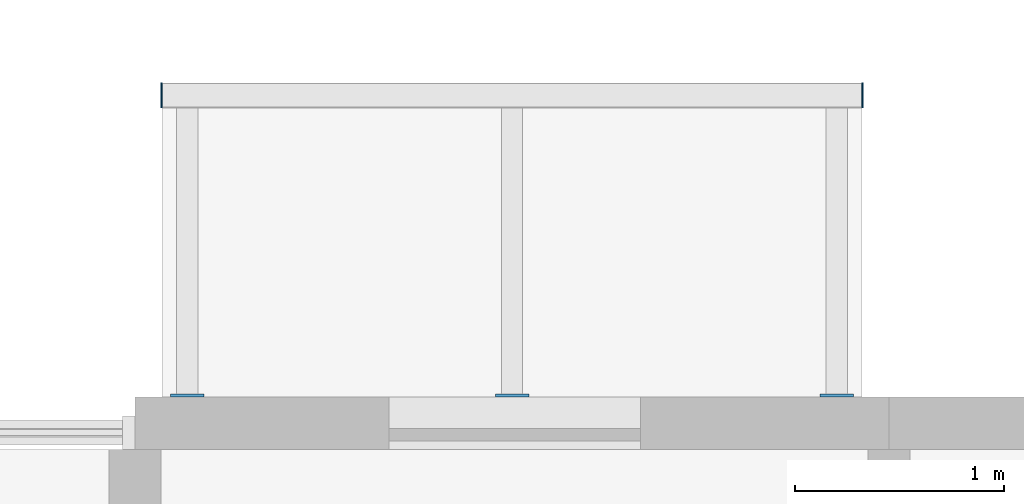
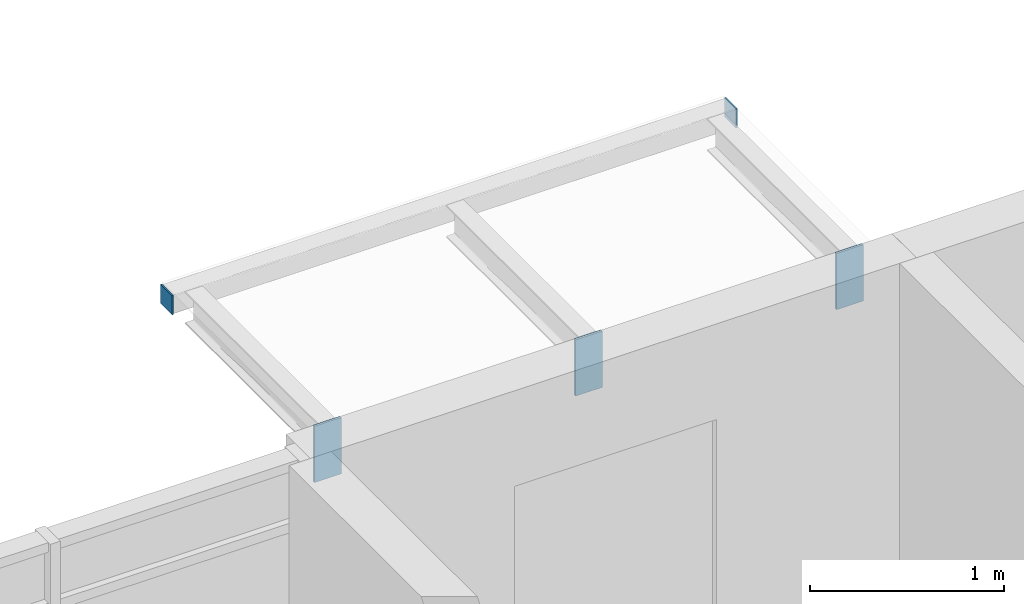
# One storey, part 92 of 115: 5 discrete accessories.
"""IFC4 building model written with IfcOpenShell, lengths in metres."""

import ifcopenshell
import ifcopenshell.guid

model = None  # the IFC model being written
_history = None  # IfcOwnerHistory: only IFC2X3 demands one
_inside = {}  # id of a spatial element -> (the spatial element, [elements in it])
_under = {}  # id of a project, library or spatial element -> (it, [spatial elements below it])
_declared = {}  # id of a project -> (the project, [libraries it declares])
_typed = {}  # id of a type object -> (the type object, [elements of that type])
_made_of = {}  # id of a material, layer set ... -> (it, [elements and type objects made of it])


def new_model(schema):
    """Start an empty IFC model of exactly this schema.

    Asked for "IFC4X3", IfcOpenShell would pick the latest addendum, in which some entities
    have other attributes; the version numbers below select the first issue.
    IFC2X3 requires an IfcOwnerHistory on every rooted entity: one is made here for all.
    """
    global model, _history
    if schema == "IFC4X3":
        model = ifcopenshell.file(schema_version=(4, 3, 0, 0))
    else:
        model = ifcopenshell.file(schema=schema)
    _inside.clear()
    _under.clear()
    _declared.clear()
    _typed.clear()
    _made_of.clear()
    _history = None
    if model.schema == "IFC2X3":
        org = make("IfcOrganization", Name="unknown")
        user = make(
            "IfcPersonAndOrganization",
            ThePerson=make("IfcPerson", FamilyName="unknown"),
            TheOrganization=org,
        )
        app = make(
            "IfcApplication",
            ApplicationDeveloper=org,
            Version="unknown",
            ApplicationFullName="unknown",
            ApplicationIdentifier="unknown",
        )
        _history = make(
            "IfcOwnerHistory",
            OwningUser=user,
            OwningApplication=app,
            ChangeAction="ADDED",
            CreationDate=0,
        )
    return model


def make(cls, **values):
    """One entity of the class cls with the attributes given. An attribute that is None is left unset."""
    return model.create_entity(
        cls, **{name: value for name, value in values.items() if value is not None}
    )


def rooted(cls, **values):
    """An entity with a GlobalId (a new one), such as an element, a storey or a relation."""
    return make(cls, GlobalId=ifcopenshell.guid.new(), OwnerHistory=_history, **values)


def si_unit(unit_type, name, prefix=None):
    """IfcSIUnit, for example si_unit("LENGTHUNIT", "METRE", prefix="MILLI")."""
    return make("IfcSIUnit", UnitType=unit_type, Prefix=prefix, Name=name)


def assignment(units):
    """IfcUnitAssignment: the units of a project."""
    return None if units is None else make("IfcUnitAssignment", Units=units)


def point(xyz):
    """IfcCartesianPoint."""
    return None if xyz is None else make("IfcCartesianPoint", Coordinates=xyz)


def direction(xyz):
    """IfcDirection."""
    return None if xyz is None else make("IfcDirection", DirectionRatios=xyz)


def frame(location, z_axis=None, x_axis=None):
    """IfcAxis2Placement3D, a coordinate frame: its origin and axes. An axis left out is left unset."""
    return make(
        "IfcAxis2Placement3D",
        Location=point(location),
        Axis=direction(z_axis),
        RefDirection=direction(x_axis),
    )


def frame_2d(location, x_axis=None):
    """IfcAxis2Placement2D, a coordinate frame in the plane: its origin and x axis."""
    return make(
        "IfcAxis2Placement2D", Location=point(location), RefDirection=direction(x_axis)
    )


def origin():
    """The frame at (0, 0, 0) with its axes left unset."""
    return frame((0.0, 0.0, 0.0))


def origin_2d():
    """The frame at (0, 0) in the plane with its x axis left unset."""
    return frame_2d((0.0, 0.0))


def place(relative_to, where):
    """IfcLocalPlacement: puts the frame where relative to a parent placement (None: the world)."""
    return make(
        "IfcLocalPlacement", PlacementRelTo=relative_to, RelativePlacement=where
    )


def context(
    kind, dimensions, precision=None, world=None, true_north=None, identifier=None
):
    """IfcGeometricRepresentationContext, for example the 3D "Model" context."""
    return make(
        "IfcGeometricRepresentationContext",
        ContextIdentifier=identifier,
        ContextType=kind,
        CoordinateSpaceDimension=dimensions,
        Precision=precision,
        WorldCoordinateSystem=world,
        TrueNorth=true_north,
    )


def subcontext(parent, identifier, kind, view, scale=None):
    """IfcGeometricRepresentationSubContext, for example "Body" below "Model"."""
    return make(
        "IfcGeometricRepresentationSubContext",
        ContextIdentifier=identifier,
        ContextType=kind,
        ParentContext=parent,
        TargetScale=scale,
        TargetView=view,
    )


def project(units=None, contexts=None):
    """IfcProject with its units and contexts."""
    return rooted(
        "IfcProject",
        Name="project",
        RepresentationContexts=contexts,
        UnitsInContext=assignment(units),
    )


def spatial(cls, under=None, at=None, **own):
    """A site, building, storey or space (cls), placed at a placement, below another one or the project."""
    s = rooted(cls, ObjectPlacement=at, **own)
    if under is not None:
        _under.setdefault(under.id(), (under, []))[1].append(s)
    return s


def profile(cls, at=None, kind="AREA", **sizes):
    """A parametric profile (cls). Its sizes go by their IFC names, for example OverallWidth=200.0."""
    return make(cls, ProfileType=kind, Position=at, **sizes)


def rectangle(**sizes):
    """IfcRectangleProfileDef."""
    return profile("IfcRectangleProfileDef", **sizes)


def extrude(swept, where, along, depth):
    """IfcExtrudedAreaSolid: the profile swept, set in the frame where, extruded along a direction by depth."""
    return make(
        "IfcExtrudedAreaSolid",
        SweptArea=swept,
        Position=where,
        ExtrudedDirection=direction(along),
        Depth=depth,
    )


def shape(context_of_items, identifier, shape_type, items):
    """IfcShapeRepresentation: the items that make up one representation, for example the "Body"."""
    return make(
        "IfcShapeRepresentation",
        ContextOfItems=context_of_items,
        RepresentationIdentifier=identifier,
        RepresentationType=shape_type,
        Items=items,
    )


def material(Name=None, Category=None):
    """IfcMaterial."""
    return make("IfcMaterial", Name=Name, Category=Category)


def layer(
    of_material, thickness, ventilated=None, Name=None, Category=None, Priority=None
):
    """IfcMaterialLayer: one layer of a wall or slab, of a material (None: an air gap)."""
    return make(
        "IfcMaterialLayer",
        Material=of_material,
        LayerThickness=thickness,
        IsVentilated=ventilated,
        Name=Name,
        Category=Category,
        Priority=Priority,
    )


def layer_set(layers, Name=None):
    """IfcMaterialLayerSet."""
    return make("IfcMaterialLayerSet", MaterialLayers=layers, LayerSetName=Name)


def made_of(thing, what):
    """Note that an element or type object is made of a material, layer set ...; save() writes the relation."""
    if what is not None:
        _made_of.setdefault(what.id(), (what, []))[1].append(thing)
    return thing


def type_object(cls, material=None, **own):
    """A type object (cls), such as IfcWallType, which elements share."""
    return made_of(rooted(cls, **own), material)


def element(
    cls,
    number,
    at=None,
    inside=None,
    cuts=None,
    type_object=None,
    material=None,
    context=None,
    identifier="Body",
    shape_type=None,
    held_by="IfcProductDefinitionShape",
    body=None,
    shapes=None,
    **own,
):
    """One element of the class cls, such as IfcWall. Its Tag is "e" and its number.

    at: its placement. inside: the storey or other place that contains it. cuts: it is an
    opening in that element (IfcRelVoidsElement). A single representation is given by context,
    identifier, shape_type and body (its items); several are given by shapes. held_by: the class
    of the entity that holds the representations. save() writes the other relations.
    """
    e = rooted(cls, Tag="e%d" % number, ObjectPlacement=at, **own)
    if body is not None:
        shapes = [shape(context, identifier, shape_type, body)]
    if shapes is not None:
        e.Representation = make(held_by, Representations=shapes)
    if inside is not None:
        _inside.setdefault(inside.id(), (inside, []))[1].append(e)
    if cuts is not None:
        rooted(
            "IfcRelVoidsElement", RelatingBuildingElement=cuts, RelatedOpeningElement=e
        )
    if type_object is not None:
        _typed.setdefault(type_object.id(), (type_object, []))[1].append(e)
    return made_of(e, material)


def aggregate(whole, parts):
    """IfcRelAggregates: a whole, such as a stair, and the parts it consists of."""
    return rooted("IfcRelAggregates", RelatingObject=whole, RelatedObjects=parts)


def save(model, path):
    """Write the relations noted so far, then the file.

    IfcRelAggregates (storeys below a building ...), IfcRelContainedInSpatialStructure (elements
    in a storey), IfcRelDefinesByType, IfcRelAssociatesMaterial and IfcRelDeclares: one each for
    every whole, place, type object, material and project.
    """
    for whole, parts in _under.values():
        aggregate(whole, parts)
    for where, things in _inside.values():
        rooted(
            "IfcRelContainedInSpatialStructure",
            RelatedElements=things,
            RelatingStructure=where,
        )
    for kind, things in _typed.values():
        rooted("IfcRelDefinesByType", RelatedObjects=things, RelatingType=kind)
    for what, things in _made_of.values():
        rooted("IfcRelAssociatesMaterial", RelatedObjects=things, RelatingMaterial=what)
    for by, libraries in _declared.values():
        rooted("IfcRelDeclares", RelatingContext=by, RelatedDefinitions=libraries)
    model.write(path)


model = new_model("IFC4")

# Units and contexts
model_context = context("Model", 3, precision=1e-05, world=origin(), true_north=direction((0.0, 1.0)))
body_context = subcontext(model_context, "Body", "Model", "MODEL_VIEW")
ifc_project = project(units=[si_unit("LENGTHUNIT", "METRE"), si_unit("AREAUNIT", "SQUARE_METRE"), si_unit("VOLUMEUNIT", "CUBIC_METRE"), si_unit("PLANEANGLEUNIT", "RADIAN"), si_unit("MASSUNIT", "GRAM", prefix="KILO")], contexts=[model_context])

# Site, building, storey
site_placement = place(None, origin())
site = spatial("IfcSite", under=ifc_project, at=site_placement, CompositionType="ELEMENT")
building_placement = place(site_placement, origin())
building = spatial("IfcBuilding", under=site, at=building_placement, Name="Ridgestep Commons", CompositionType="ELEMENT")
storey_placement = place(building_placement, frame((0.0, 0.0, 6.0)))
storey = spatial("IfcBuildingStorey", under=building, at=storey_placement, Name="L02", CompositionType="ELEMENT", Elevation=6.0)

# Discrete accessories
ifc_material_1 = material(Name="Weathering steel S355J2W", Category="steel")
ifc_layer_1 = layer(ifc_material_1, 0.014892578125)
ifc_layer_set_1 = layer_set([ifc_layer_1], Name="Tray bracket plate 15")
discrete_accessory_type_1 = type_object("IfcDiscreteAccessoryType", Name="Tray bracket plate 15", PredefinedType="BRACKET", material=ifc_layer_set_1)
for number, where, z_axis, x_axis, name in (
    (1, (237.050048828125, 77.257568359375, 2.63671875), (0.0, 0.0, 1.0), (1.0, 0.0, 0.0), "Tray bracket C6T3-03.1"),
    (2, (238.60009765625, 77.257568359375, 2.63671875), (0.0, 0.0, 1.0), (1.0, 0.0, 0.0), "Tray bracket C6T3-03.2"),
    (3, (240.14990234375, 77.257568359375, 2.63671875), (0.0, 0.0, 1.0), (1.0, 0.0, 0.0), "Tray bracket C6T3-03.3"),
):
    element("IfcDiscreteAccessory", number, at=place(storey_placement, frame(where, z_axis=z_axis, x_axis=x_axis)), inside=storey, type_object=discrete_accessory_type_1, Name=name, PredefinedType="BRACKET", context=body_context, shape_type="SweptSolid", body=[
        extrude(rectangle(XDim=0.159912109375, YDim=0.014892578125, at=origin_2d()), origin(), (0.0, 0.0, 1.0), 0.353271484375),
    ])
ifc_material_2 = material(Name="Weathering steel S355J2W", Category="steel")
ifc_layer_2 = layer(ifc_material_2, 0.008056640625)
ifc_layer_set_2 = layer_set([ifc_layer_2], Name="Tray edge member end plate 120 x 120 x 8")
discrete_accessory_type_2 = type_object("IfcDiscreteAccessoryType", Name="Tray edge member end plate 120 x 120 x 8", PredefinedType="BRACKET", material=ifc_layer_set_2)
for number, where, z_axis, x_axis, name in (
    (4, (236.926025390625, 78.68994140625, 2.869873046875), (0.0, 0.0, 1.0), (1.0, 0.0, 0.0), "Tray edge member end plate C6T3-03 west"),
    (5, (240.27392578125, 78.68994140625, 2.869873046875), (0.0, 0.0, 1.0), (1.0, 0.0, 0.0), "Tray edge member end plate C6T3-03 east"),
):
    element("IfcDiscreteAccessory", number, at=place(storey_placement, frame(where, z_axis=z_axis, x_axis=x_axis)), inside=storey, type_object=discrete_accessory_type_2, Name=name, PredefinedType="BRACKET", context=body_context, shape_type="SweptSolid", body=[
        extrude(rectangle(XDim=0.008056640625, YDim=0.1201171875, at=origin_2d()), origin(), (0.0, 0.0, 1.0), 0.1201171875),
    ])

save(model, "model.ifc")
